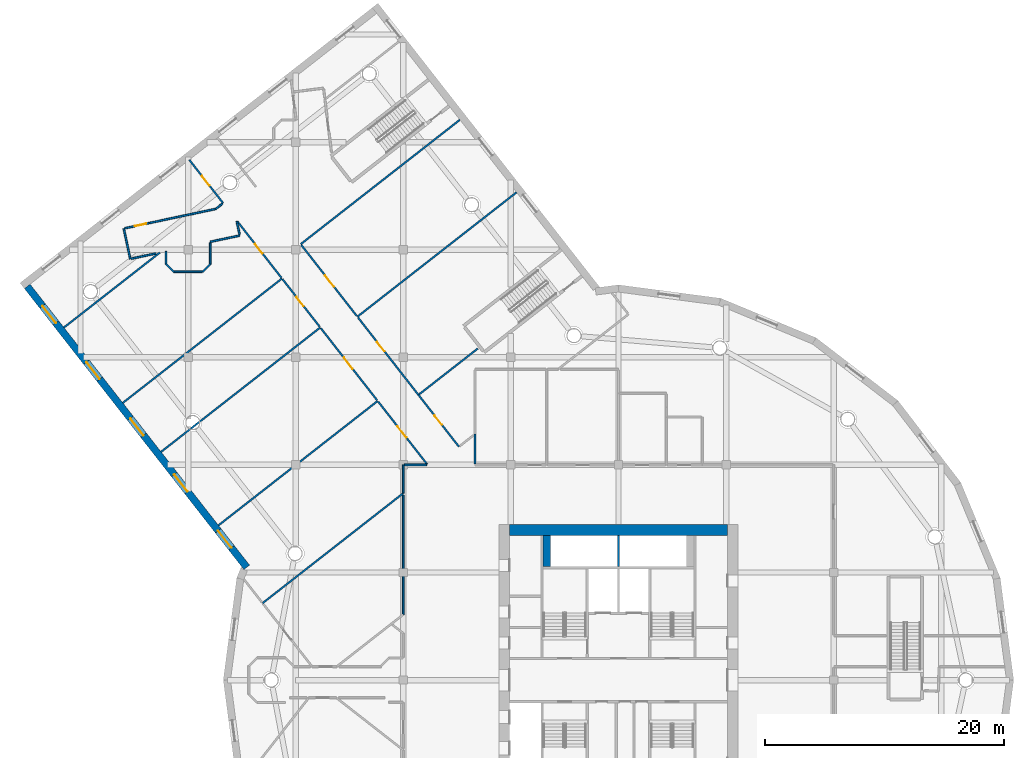
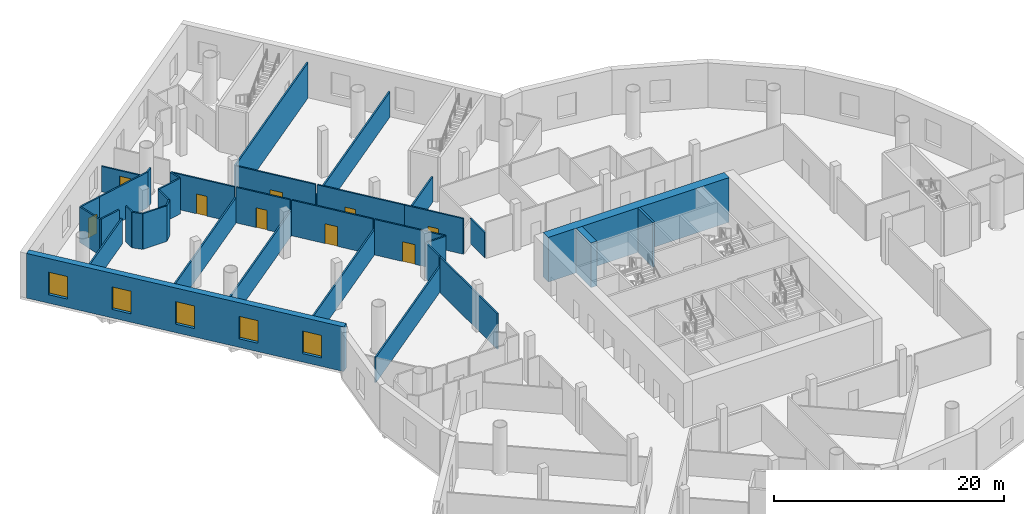
# One storey, part 9 of 22: 36 walls, 9 doors, 5 windows, 14 openings.
"""IFC4 building model written with IfcOpenShell, lengths in metres."""

from ifc_helpers import new_model, si_unit, direction, frame, frame_2d, origin, place, context, subcontext, project, spatial, rectangle, extrude, material, layer, layer_set, type_object, element, fill, save


model = new_model("IFC4")

# Units and contexts
model_context = context("Model", 3, precision=1e-05, world=origin(), true_north=direction((0.0, 1.0)))
body_context = subcontext(model_context, "Body", "Model", "MODEL_VIEW")
ifc_project = project(units=[si_unit("LENGTHUNIT", "METRE"), si_unit("AREAUNIT", "SQUARE_METRE"), si_unit("VOLUMEUNIT", "CUBIC_METRE"), si_unit("PLANEANGLEUNIT", "RADIAN"), si_unit("MASSUNIT", "GRAM", prefix="KILO")], contexts=[model_context])

# Site, building, storey
site_placement = place(None, origin())
site = spatial("IfcSite", under=ifc_project, at=site_placement, CompositionType="ELEMENT")
building_placement = place(site_placement, origin())
building = spatial("IfcBuilding", under=site, at=building_placement, Name="Tarsis Ring Headquarters", CompositionType="ELEMENT")
storey_placement = place(building_placement, frame((0.0, 0.0, 25.0)))
storey = spatial("IfcBuildingStorey", under=building, at=storey_placement, Name="L04", CompositionType="ELEMENT", Elevation=25.0)

# Walls
ifc_material_1 = material(Name="Concrete C60/75", Category="concrete")
ifc_layer_1 = layer(ifc_material_1, 0.89990234375)
ifc_layer_set_1 = layer_set([ifc_layer_1], Name="Core wall 900 C60/75")
wall_type_1 = type_object("IfcWallType", Name="Core wall 900 C60/75", PredefinedType="SHEAR", material=ifc_layer_set_1)
wall_1_placement = place(storey_placement, frame((-9.10009765625, 12.550048828125, 0.0), z_axis=(0.0, 0.0, 1.0), x_axis=(1.0, 0.0, 0.0)))
element("IfcWall", 1, at=wall_1_placement, inside=storey, type_object=wall_type_1, Name="Core wall ON", PredefinedType="SHEAR", context=body_context, shape_type="SweptSolid", body=[
    extrude(rectangle(XDim=18.2001953125, YDim=0.89990234375, at=frame_2d((9.10009765625, 0.0))), origin(), (0.0, 0.0, 1.0), 4.75),
])
ifc_material_2 = material(Name="Plasterboard partition")
ifc_layer_2 = layer(ifc_material_2, 0.14990234375)
ifc_layer_set_2 = layer_set([ifc_layer_2], Name="PO-PW150")
wall_type_2 = type_object("IfcWallType", Name="PO-PW150", PredefinedType="PARTITIONING", material=ifc_layer_set_2)
for number, where, z_axis, x_axis, name in (
    (2, (-20.144287109375, 23.34716796875, 0.0), (0.0, 0.0, 1.0), (-0.788014736946, -0.61565637685, 0.0), "L04 partition wall 4"),
    (3, (-28.14794921875, 33.59130859375, 0.0), (0.0, 0.0, 1.0), (-0.788014736946, -0.61565637685, 0.0), "L04 partition wall 5"),
    (4, (-24.946533203125, 29.49365234375, 0.0), (0.0, 0.0, 1.0), (-0.788014736946, -0.61565637685, 0.0), "L04 partition wall 9"),
):
    element("IfcWall", number, at=place(storey_placement, frame(where, z_axis=z_axis, x_axis=x_axis)), inside=storey, type_object=wall_type_2, Name=name, PredefinedType="PARTITIONING", context=body_context, shape_type="SweptSolid", body=[
        extrude(rectangle(XDim=16.89990234375, YDim=0.14990234375, at=frame_2d((8.449951171875, 0.0))), origin(), (0.0, 0.0, 1.0), 2.699951171875),
    ])
wall_2_placement = place(storey_placement, frame((-8.5263671875, 40.7998046875, 0.0), z_axis=(0.0, 0.0, 1.0), x_axis=(-0.788007728406, -0.615665347386, 0.0)))
element("IfcWall", 5, at=wall_2_placement, inside=storey, type_object=wall_type_2, Name="L04 partition wall 12", PredefinedType="PARTITIONING", context=body_context, shape_type="SweptSolid", body=[
    extrude(rectangle(XDim=16.900146484375, YDim=0.14990234375, at=frame_2d((8.4501953125, 0.0))), origin(), (0.0, 0.0, 1.0), 2.699951171875),
])
wall_3_placement = place(storey_placement, frame((-18.0, 15.6318359375, 0.0), z_axis=(0.0, 0.0, 1.0), x_axis=(-0.788013720277, -0.615657678142, 0.0)))
element("IfcWall", 6, at=wall_3_placement, inside=storey, type_object=wall_type_2, Name="L04 partition wall 13", PredefinedType="PARTITIONING", context=body_context, shape_type="SweptSolid", body=[
    extrude(rectangle(XDim=14.939697265625, YDim=0.14990234375, at=frame_2d((7.4697265625, 0.0))), origin(), (0.0, 0.0, 1.0), 2.699951171875),
])
wall_4_placement = place(storey_placement, frame((-38.368896484375, 35.758056640625, 0.0), z_axis=(0.0, 0.0, 1.0), x_axis=(-0.788007284307, -0.6156659158, 0.0)))
element("IfcWall", 7, at=wall_4_placement, inside=storey, type_object=wall_type_2, Name="L04 partition wall 27", PredefinedType="PARTITIONING", context=body_context, shape_type="SweptSolid", body=[
    extrude(rectangle(XDim=10.1796875, YDim=0.14990234375, at=frame_2d((5.08984375, 0.0))), origin(), (0.0, 0.0, 1.0), 2.699951171875),
])
wall_5_placement = place(storey_placement, frame((-11.76513671875, 27.736572265625, 0.0), z_axis=(0.0, 0.0, 1.0), x_axis=(-0.787998806704, -0.615676766358, 0.0)))
element("IfcWall", 8, at=wall_5_placement, inside=storey, type_object=wall_type_2, Name="L04 partition wall 54", PredefinedType="PARTITIONING", context=body_context, shape_type="SweptSolid", body=[
    extrude(rectangle(XDim=6.225341796875, YDim=0.14990234375, at=frame_2d((3.11279296875, 0.0))), origin(), (0.0, 0.0, 1.0), 2.699951171875),
])

# Wall, opening, door
wall_6_placement = place(storey_placement, frame((-35.904541015625, 43.52099609375, 0.0), z_axis=(0.0, 0.0, 1.0), x_axis=(0.615644041972, -0.788024373725, 0.0)))
wall_6 = element("IfcWall", 9, at=wall_6_placement, inside=storey, type_object=wall_type_2, Name="L04 partition wall 70", PredefinedType="PARTITIONING", context=body_context, shape_type="SweptSolid", body=[
    extrude(rectangle(XDim=4.60009765625, YDim=0.14990234375, at=frame_2d((2.300048828125, 0.0))), origin(), (0.0, 0.0, 1.0), 2.699951171875),
])
opening_1_placement = place(wall_6_placement, frame((1.720947265625, 0.0, 0.0)))
opening_1 = element("IfcOpeningElement", 10, at=opening_1_placement, cuts=wall_6, Name="Opening PO-D1A", PredefinedType="OPENING", context=body_context, shape_type="SweptSolid", body=[
    extrude(rectangle(XDim=1.0, YDim=2.10009765625, at=frame_2d((0.5, 1.050048828125))), frame((0.0, 0.0849609375, 0.0), z_axis=(0.0, -1.0, 0.0), x_axis=(1.0, 0.0, 0.0)), (0.0, 0.0, 1.0), 0.169921875),
])
ifc_material_3 = material(Name="Timber door", Category="wood")
door_type_1 = type_object("IfcDoorType", Name="PO-D1000-UNRATED", OperationType="NOTDEFINED", PredefinedType="DOOR", material=ifc_material_3)
door_1_placement = place(opening_1_placement, origin())
door_1 = element("IfcDoor", 11, at=door_1_placement, inside=storey, type_object=door_type_1, Name="Quiet room door", OperationType="SINGLE_SWING_LEFT", OverallHeight=2.10009765625, OverallWidth=1.0, PredefinedType="DOOR", context=body_context, shape_type="SweptSolid", body=[
    extrude(rectangle(XDim=1.0, YDim=2.10009765625, at=frame_2d((0.5, 1.050048828125))), frame((0.0, 0.02490234375, 0.0), z_axis=(0.0, -1.0, 0.0), x_axis=(1.0, 0.0, 0.0)), (0.0, 0.0, 1.0), 0.050048828125),
])
fill(opening_1, door_1)

# Walls
wall_7_placement = place(storey_placement, frame((-12.0, 20.573486328125, 0.0), z_axis=(0.0, 0.0, 1.0), x_axis=(0.0, -1.0, 0.0)))
element("IfcWall", 12, at=wall_7_placement, inside=storey, type_object=wall_type_2, Name="L04 partition wall 99", PredefinedType="PARTITIONING", context=body_context, shape_type="SweptSolid", body=[
    extrude(rectangle(XDim=2.493408203125, YDim=0.14990234375, at=frame_2d((1.24658203125, 0.0))), origin(), (0.0, 0.0, 1.0), 2.699951171875),
])
ifc_layer_3 = layer(ifc_material_2, 0.14990234375)
ifc_layer_set_3 = layer_set([ifc_layer_3], Name="PO-PW150R-3783")
wall_type_3 = type_object("IfcWallType", Name="PO-PW150R-3783", PredefinedType="PARTITIONING", material=ifc_layer_set_3)
wall_8_placement = place(storey_placement, frame((-13.266845703125, 46.867431640625, 0.0), z_axis=(0.0, 0.0, 1.0), x_axis=(-0.788014736946, -0.61565637685, 0.0)))
element("IfcWall", 13, at=wall_8_placement, inside=storey, type_object=wall_type_3, Name="L04 partition wall 10", PredefinedType="PARTITIONING", context=body_context, shape_type="SweptSolid", body=[
    extrude(rectangle(XDim=16.89990234375, YDim=0.14990234375, at=frame_2d((8.449951171875, 0.0))), origin(), (0.0, 0.0, 1.0), 3.782958984375),
])
wall_9_placement = place(storey_placement, frame((-18.0, 5.479736328125, 0.0), z_axis=(0.0, 0.0, 1.0), x_axis=(0.0, 1.0, 0.0)))
element("IfcWall", 14, at=wall_9_placement, inside=storey, type_object=wall_type_3, Name="L04 partition wall 28", PredefinedType="PARTITIONING", context=body_context, shape_type="SweptSolid", body=[
    extrude(rectangle(XDim=9.9921875, YDim=0.14990234375, at=frame_2d((4.99609375, 0.0))), origin(), (0.0, 0.0, 1.0), 3.782958984375),
])

# Wall, opening, door
wall_10_placement = place(storey_placement, frame((-21.79443359375, 30.33203125, 0.0), z_axis=(0.0, 0.0, 1.0), x_axis=(0.615660179856, -0.788011765736, 0.0)))
wall_10 = element("IfcWall", 15, at=wall_10_placement, inside=storey, type_object=wall_type_3, Name="L04 partition wall 33", PredefinedType="PARTITIONING", context=body_context, shape_type="SweptSolid", body=[
    extrude(rectangle(XDim=8.22021484375, YDim=0.14990234375, at=frame_2d((4.110107421875, 0.0))), origin(), (0.0, 0.0, 1.0), 3.782958984375),
])
opening_2_placement = place(wall_10_placement, frame((2.590087890625, 0.0, 0.0)))
opening_2 = element("IfcOpeningElement", 16, at=opening_2_placement, cuts=wall_10, Name="Opening PO-D1", PredefinedType="OPENING", context=body_context, shape_type="SweptSolid", body=[
    extrude(rectangle(XDim=1.0, YDim=2.10009765625, at=frame_2d((0.5, 1.050048828125))), frame((0.0, 0.0849609375, 0.0), z_axis=(0.0, -1.0, 0.0), x_axis=(1.0, 0.0, 0.0)), (0.0, 0.0, 1.0), 0.169921875),
])
door_type_2 = type_object("IfcDoorType", Name="PO-D1000", OperationType="NOTDEFINED", PredefinedType="DOOR", material=ifc_material_3)
door_2_placement = place(opening_2_placement, origin())
door_2 = element("IfcDoor", 17, at=door_2_placement, inside=storey, type_object=door_type_2, Name="Gymnasium door", OperationType="SINGLE_SWING_LEFT", OverallHeight=2.10009765625, OverallWidth=1.0, PredefinedType="DOOR", context=body_context, shape_type="SweptSolid", body=[
    extrude(rectangle(XDim=1.0, YDim=2.10009765625, at=frame_2d((0.5, 1.050048828125))), frame((0.0, 0.02490234375, 0.0), z_axis=(0.0, -1.0, 0.0), x_axis=(1.0, 0.0, 0.0)), (0.0, 0.0, 1.0), 0.050048828125),
])
fill(opening_2, door_2)

wall_11_placement = place(storey_placement, frame((-20.193603515625, 23.410400390625, 0.0), z_axis=(0.0, 0.0, 1.0), x_axis=(-0.615666986568, 0.788006447721, 0.0)))
wall_11 = element("IfcWall", 18, at=wall_11_placement, inside=storey, type_object=wall_type_3, Name="L04 partition wall 39", PredefinedType="PARTITIONING", context=body_context, shape_type="SweptSolid", body=[
    extrude(rectangle(XDim=7.639892578125, YDim=0.14990234375, at=frame_2d((3.81982421875, 0.0))), origin(), (0.0, 0.0, 1.0), 3.782958984375),
])
opening_3_placement = place(wall_11_placement, frame((3.320068359375, 0.0, 0.0)))
opening_3 = element("IfcOpeningElement", 19, at=opening_3_placement, cuts=wall_11, Name="Opening PO-D2", PredefinedType="OPENING", context=body_context, shape_type="SweptSolid", body=[
    extrude(rectangle(XDim=1.199951171875, YDim=2.10009765625, at=frame_2d((0.60009765625, 1.050048828125))), frame((0.0, 0.0849609375, 0.0), z_axis=(0.0, -1.0, 0.0), x_axis=(1.0, 0.0, 0.0)), (0.0, 0.0, 1.0), 0.169921875),
])
door_type_3 = type_object("IfcDoorType", Name="PO-D1200", OperationType="NOTDEFINED", PredefinedType="DOOR", material=ifc_material_3)
door_3_placement = place(opening_3_placement, origin())
door_3 = element("IfcDoor", 20, at=door_3_placement, inside=storey, type_object=door_type_3, Name="Fitness office door", OperationType="SINGLE_SWING_RIGHT", OverallHeight=2.10009765625, OverallWidth=1.199951171875, PredefinedType="DOOR", context=body_context, shape_type="SweptSolid", body=[
    extrude(rectangle(XDim=1.199951171875, YDim=2.10009765625, at=frame_2d((0.60009765625, 1.050048828125))), frame((0.0, 0.02490234375, 0.0), z_axis=(0.0, -1.0, 0.0), x_axis=(1.0, 0.0, 0.0)), (0.0, 0.0, 1.0), 0.050048828125),
])
fill(opening_3, door_3)

wall_12_placement = place(storey_placement, frame((-26.53515625, 36.399658203125, 0.0), z_axis=(0.0, 0.0, 1.0), x_axis=(0.61567420268, -0.788000809742, 0.0)))
wall_12 = element("IfcWall", 21, at=wall_12_placement, inside=storey, type_object=wall_type_3, Name="L04 partition wall 41", PredefinedType="PARTITIONING", context=body_context, shape_type="SweptSolid", body=[
    extrude(rectangle(XDim=7.539794921875, YDim=0.14990234375, at=frame_2d((3.77001953125, 0.0))), origin(), (0.0, 0.0, 1.0), 3.782958984375),
])
opening_4_placement = place(wall_12_placement, frame((3.239990234375, 0.0, 0.0)))
opening_4 = element("IfcOpeningElement", 22, at=opening_4_placement, cuts=wall_12, Name="Opening PO-D2", PredefinedType="OPENING", context=body_context, shape_type="SweptSolid", body=[
    extrude(rectangle(XDim=1.199951171875, YDim=2.10009765625, at=frame_2d((0.60009765625, 1.050048828125))), frame((0.0, 0.0849609375, 0.0), z_axis=(0.0, -1.0, 0.0), x_axis=(1.0, 0.0, 0.0)), (0.0, 0.0, 1.0), 0.169921875),
])
door_4_placement = place(opening_4_placement, origin())
door_4 = element("IfcDoor", 23, at=door_4_placement, inside=storey, type_object=door_type_3, Name="Studio room door", OperationType="SINGLE_SWING_RIGHT", OverallHeight=2.10009765625, OverallWidth=1.199951171875, PredefinedType="DOOR", context=body_context, shape_type="SweptSolid", body=[
    extrude(rectangle(XDim=1.199951171875, YDim=2.10009765625, at=frame_2d((0.60009765625, 1.050048828125))), frame((0.0, 0.02490234375, 0.0), z_axis=(0.0, -1.0, 0.0), x_axis=(1.0, 0.0, 0.0)), (0.0, 0.0, 1.0), 0.050048828125),
])
fill(opening_4, door_4)

wall_13_placement = place(storey_placement, frame((-15.997802734375, 18.0400390625, 0.0), z_axis=(0.0, 0.0, 1.0), x_axis=(-0.61568390745, 0.787993227196, 0.0)))
wall_13 = element("IfcWall", 24, at=wall_13_placement, inside=storey, type_object=wall_type_3, Name="L04 partition wall 51", PredefinedType="PARTITIONING", context=body_context, shape_type="SweptSolid", body=[
    extrude(rectangle(XDim=6.655029296875, YDim=0.14990234375, at=frame_2d((3.32763671875, 0.0))), origin(), (0.0, 0.0, 1.0), 3.782958984375),
])
opening_5_placement = place(wall_13_placement, frame((2.84912109375, 0.0, 0.0)))
opening_5 = element("IfcOpeningElement", 25, at=opening_5_placement, cuts=wall_13, Name="Opening PO-D2", PredefinedType="OPENING", context=body_context, shape_type="SweptSolid", body=[
    extrude(rectangle(XDim=1.199951171875, YDim=2.10009765625, at=frame_2d((0.60009765625, 1.050048828125))), frame((0.0, 0.0849609375, 0.0), z_axis=(0.0, -1.0, 0.0), x_axis=(1.0, 0.0, 0.0)), (0.0, 0.0, 1.0), 0.169921875),
])
door_5_placement = place(opening_5_placement, origin())
door_5 = element("IfcDoor", 26, at=door_5_placement, inside=storey, type_object=door_type_3, Name="Changing room door", OperationType="SINGLE_SWING_LEFT", OverallHeight=2.10009765625, OverallWidth=1.199951171875, PredefinedType="DOOR", context=body_context, shape_type="SweptSolid", body=[
    extrude(rectangle(XDim=1.199951171875, YDim=2.10009765625, at=frame_2d((0.60009765625, 1.050048828125))), frame((0.0, 0.02490234375, 0.0), z_axis=(0.0, -1.0, 0.0), x_axis=(1.0, 0.0, 0.0)), (0.0, 0.0, 1.0), 0.050048828125),
])
fill(opening_5, door_5)

wall_14_placement = place(storey_placement, frame((-28.197265625, 33.654541015625, 0.0), z_axis=(0.0, 0.0, 1.0), x_axis=(-0.615655172614, 0.788015677784, 0.0)))
wall_14 = element("IfcWall", 27, at=wall_14_placement, inside=storey, type_object=wall_type_3, Name="L04 partition wall 56", PredefinedType="PARTITIONING", context=body_context, shape_type="SweptSolid", body=[
    extrude(rectangle(XDim=5.958984375, YDim=0.14990234375, at=frame_2d((2.9794921875, 0.0))), origin(), (0.0, 0.0, 1.0), 3.782958984375),
])
opening_6_placement = place(wall_14_placement, frame((2.590087890625, 0.0, 0.0)))
opening_6 = element("IfcOpeningElement", 28, at=opening_6_placement, cuts=wall_14, Name="Opening PO-D1", PredefinedType="OPENING", context=body_context, shape_type="SweptSolid", body=[
    extrude(rectangle(XDim=1.0, YDim=2.10009765625, at=frame_2d((0.5, 1.050048828125))), frame((0.0, 0.0849609375, 0.0), z_axis=(0.0, -1.0, 0.0), x_axis=(1.0, 0.0, 0.0)), (0.0, 0.0, 1.0), 0.169921875),
])
door_6_placement = place(opening_6_placement, origin())
door_6 = element("IfcDoor", 29, at=door_6_placement, inside=storey, type_object=door_type_2, Name="Gymnasium door", OperationType="SINGLE_SWING_RIGHT", OverallHeight=2.10009765625, OverallWidth=1.0, PredefinedType="DOOR", context=body_context, shape_type="SweptSolid", body=[
    extrude(rectangle(XDim=1.0, YDim=2.10009765625, at=frame_2d((0.5, 1.050048828125))), frame((0.0, 0.02490234375, 0.0), z_axis=(0.0, -1.0, 0.0), x_axis=(1.0, 0.0, 0.0)), (0.0, 0.0, 1.0), 0.050048828125),
])
fill(opening_6, door_6)

# Wall
wall_15_placement = place(storey_placement, frame((-39.251953125, 38.22802734375, 0.0), z_axis=(0.0, 0.0, 1.0), x_axis=(0.977940293417, 0.208884615304, 0.0)))
element("IfcWall", 30, at=wall_15_placement, inside=storey, type_object=wall_type_3, Name="L04 partition wall 62", PredefinedType="PARTITIONING", context=body_context, shape_type="SweptSolid", body=[
    extrude(rectangle(XDim=5.69189453125, YDim=0.14990234375, at=frame_2d((2.845947265625, 0.0))), origin(), (0.0, 0.0, 1.0), 3.782958984375),
])

# Wall, opening, door
wall_16_placement = place(storey_placement, frame((-16.733642578125, 23.8544921875, 0.0), z_axis=(0.0, 0.0, 1.0), x_axis=(0.615650933369, -0.788018989773, 0.0)))
wall_16 = element("IfcWall", 31, at=wall_16_placement, inside=storey, type_object=wall_type_3, Name="L04 partition wall 63", PredefinedType="PARTITIONING", context=body_context, shape_type="SweptSolid", body=[
    extrude(rectangle(XDim=5.499755859375, YDim=0.14990234375, at=frame_2d((2.75, 0.0))), origin(), (0.0, 0.0, 1.0), 3.782958984375),
])
opening_7_placement = place(wall_16_placement, frame((2.169921875, 0.0, 0.0)))
opening_7 = element("IfcOpeningElement", 32, at=opening_7_placement, cuts=wall_16, Name="Opening PO-D1", PredefinedType="OPENING", context=body_context, shape_type="SweptSolid", body=[
    extrude(rectangle(XDim=1.0, YDim=2.10009765625, at=frame_2d((0.5, 1.050048828125))), frame((0.0, 0.0849609375, 0.0), z_axis=(0.0, -1.0, 0.0), x_axis=(1.0, 0.0, 0.0)), (0.0, 0.0, 1.0), 0.169921875),
])
door_7_placement = place(opening_7_placement, origin())
door_7 = element("IfcDoor", 33, at=door_7_placement, inside=storey, type_object=door_type_2, Name="Equipment store door", OperationType="SINGLE_SWING_RIGHT", OverallHeight=2.10009765625, OverallWidth=1.0, PredefinedType="DOOR", context=body_context, shape_type="SweptSolid", body=[
    extrude(rectangle(XDim=1.0, YDim=2.10009765625, at=frame_2d((0.5, 1.050048828125))), frame((0.0, 0.02490234375, 0.0), z_axis=(0.0, -1.0, 0.0), x_axis=(1.0, 0.0, 0.0)), (0.0, 0.0, 1.0), 0.050048828125),
])
fill(opening_7, door_7)

wall_17_placement = place(storey_placement, frame((-24.995849609375, 29.556884765625, 0.0), z_axis=(0.0, 0.0, 1.0), x_axis=(-0.615656262697, 0.788014826131, 0.0)))
wall_17 = element("IfcWall", 34, at=wall_17_placement, inside=storey, type_object=wall_type_3, Name="L04 partition wall 67", PredefinedType="PARTITIONING", context=body_context, shape_type="SweptSolid", body=[
    extrude(rectangle(XDim=5.039794921875, YDim=0.14990234375, at=frame_2d((2.52001953125, 0.0))), origin(), (0.0, 0.0, 1.0), 3.782958984375),
])
opening_8_placement = place(wall_17_placement, frame((2.169921875, 0.0, 0.0)))
opening_8 = element("IfcOpeningElement", 35, at=opening_8_placement, cuts=wall_17, Name="Opening PO-D1", PredefinedType="OPENING", context=body_context, shape_type="SweptSolid", body=[
    extrude(rectangle(XDim=1.0, YDim=2.10009765625, at=frame_2d((0.5, 1.050048828125))), frame((0.0, 0.0849609375, 0.0), z_axis=(0.0, -1.0, 0.0), x_axis=(1.0, 0.0, 0.0)), (0.0, 0.0, 1.0), 0.169921875),
])
door_8_placement = place(opening_8_placement, origin())
door_8 = element("IfcDoor", 36, at=door_8_placement, inside=storey, type_object=door_type_2, Name="Equipment store door", OperationType="SINGLE_SWING_LEFT", OverallHeight=2.10009765625, OverallWidth=1.0, PredefinedType="DOOR", context=body_context, shape_type="SweptSolid", body=[
    extrude(rectangle(XDim=1.0, YDim=2.10009765625, at=frame_2d((0.5, 1.050048828125))), frame((0.0, 0.02490234375, 0.0), z_axis=(0.0, -1.0, 0.0), x_axis=(1.0, 0.0, 0.0)), (0.0, 0.0, 1.0), 0.050048828125),
])
fill(opening_8, door_8)

# Walls
wall_18_placement = place(storey_placement, frame((-40.84130859375, 35.22998046875, 0.0), z_axis=(0.0, 0.0, 1.0), x_axis=(-0.208939051141, 0.97792866453, 0.0)))
element("IfcWall", 37, at=wall_18_placement, inside=storey, type_object=wall_type_3, Name="L04 partition wall 97", PredefinedType="PARTITIONING", context=body_context, shape_type="SweptSolid", body=[
    extrude(rectangle(XDim=2.599853515625, YDim=0.14990234375, at=frame_2d((1.2998046875, 0.0))), origin(), (0.0, 0.0, 1.0), 3.782958984375),
])
wall_19_placement = place(storey_placement, frame((-38.691650390625, 35.689208984375, 0.0), z_axis=(0.0, 0.0, 1.0), x_axis=(-0.977925369657, -0.208954472032, 0.0)))
element("IfcWall", 38, at=wall_19_placement, inside=storey, type_object=wall_type_3, Name="L04 partition wall 101", PredefinedType="PARTITIONING", context=body_context, shape_type="SweptSolid", body=[
    extrude(rectangle(XDim=2.118408203125, YDim=0.14990234375, at=frame_2d((1.05908203125, 0.0))), origin(), (0.0, 0.0, 1.0), 3.782958984375),
])
wall_20_placement = place(storey_placement, frame((-31.678955078125, 37.18701171875, 0.0), z_axis=(0.0, 0.0, 1.0), x_axis=(-0.977936544746, -0.20890216478, 0.0)))
element("IfcWall", 39, at=wall_20_placement, inside=storey, type_object=wall_type_3, Name="L04 partition wall 102", PredefinedType="PARTITIONING", context=body_context, shape_type="SweptSolid", body=[
    extrude(rectangle(XDim=2.526611328125, YDim=0.14990234375, at=frame_2d((1.26318359375, 0.0))), origin(), (0.0, 0.0, 1.0), 3.782958984375),
])
wall_21_placement = place(storey_placement, frame((-34.800048828125, 34.14990234375, 0.0), z_axis=(0.0, 0.0, 1.0), x_axis=(-1.0, 0.0, 0.0)))
element("IfcWall", 40, at=wall_21_placement, inside=storey, type_object=wall_type_3, Name="L04 partition wall 105", PredefinedType="PARTITIONING", context=body_context, shape_type="SweptSolid", body=[
    extrude(rectangle(XDim=2.39990234375, YDim=0.14990234375, at=frame_2d((1.199951171875, 0.0))), origin(), (0.0, 0.0, 1.0), 3.782958984375),
])
wall_22_placement = place(storey_placement, frame((-18.0, 15.6318359375, 0.0), z_axis=(0.0, 0.0, 1.0), x_axis=(0.0, 1.0, 0.0)))
element("IfcWall", 41, at=wall_22_placement, inside=storey, type_object=wall_type_3, Name="L04 partition wall 106", PredefinedType="PARTITIONING", context=body_context, shape_type="SweptSolid", body=[
    extrude(rectangle(XDim=2.3681640625, YDim=0.14990234375, at=frame_2d((1.18408203125, 0.0))), origin(), (0.0, 0.0, 1.0), 3.782958984375),
])

# Wall, opening, door
wall_23_placement = place(storey_placement, frame((-41.30615234375, 37.789306640625, 0.0), z_axis=(0.0, 0.0, 1.0), x_axis=(0.977945062536, 0.208862286353, 0.0)))
wall_23 = element("IfcWall", 42, at=wall_23_placement, inside=storey, type_object=wall_type_3, Name="L04 partition wall 113", PredefinedType="PARTITIONING", context=body_context, shape_type="SweptSolid", body=[
    extrude(rectangle(XDim=2.1005859375, YDim=0.14990234375, at=frame_2d((1.05029296875, 0.0))), origin(), (0.0, 0.0, 1.0), 3.782958984375),
])
opening_9_placement = place(wall_23_placement, frame((0.85888671875, 0.0, 0.0)))
opening_9 = element("IfcOpeningElement", 43, at=opening_9_placement, cuts=wall_23, Name="Opening PO-D1", PredefinedType="OPENING", context=body_context, shape_type="SweptSolid", body=[
    extrude(rectangle(XDim=1.0, YDim=2.10009765625, at=frame_2d((0.5, 1.050048828125))), frame((0.0, 0.0849609375, 0.0), z_axis=(0.0, -1.0, 0.0), x_axis=(1.0, 0.0, 0.0)), (0.0, 0.0, 1.0), 0.169921875),
])
door_9_placement = place(opening_9_placement, origin())
door_9 = element("IfcDoor", 44, at=door_9_placement, inside=storey, type_object=door_type_2, Name="Studio room door", OperationType="SINGLE_SWING_LEFT", OverallHeight=2.10009765625, OverallWidth=1.0, PredefinedType="DOOR", context=body_context, shape_type="SweptSolid", body=[
    extrude(rectangle(XDim=1.0, YDim=2.10009765625, at=frame_2d((0.5, 1.050048828125))), frame((0.0, 0.02490234375, 0.0), z_axis=(0.0, -1.0, 0.0), x_axis=(1.0, 0.0, 0.0)), (0.0, 0.0, 1.0), 0.050048828125),
])
fill(opening_9, door_9)

# Walls
wall_24_placement = place(storey_placement, frame((-17.919921875, 18.0, 0.0), z_axis=(0.0, 0.0, 1.0), x_axis=(1.0, 0.0, 0.0)))
element("IfcWall", 45, at=wall_24_placement, inside=storey, type_object=wall_type_3, Name="L04 partition wall 118", PredefinedType="PARTITIONING", context=body_context, shape_type="SweptSolid", body=[
    extrude(rectangle(XDim=1.877197265625, YDim=0.14990234375, at=frame_2d((0.9384765625, 0.0))), origin(), (0.0, 0.0, 1.0), 3.782958984375),
])
wall_25_placement = place(storey_placement, frame((-34.14990234375, 36.579345703125, 0.0), z_axis=(0.0, 0.0, 1.0), x_axis=(0.0, -1.0, 0.0)))
element("IfcWall", 46, at=wall_25_placement, inside=storey, type_object=wall_type_3, Name="L04 partition wall 119", PredefinedType="PARTITIONING", context=body_context, shape_type="SweptSolid", body=[
    extrude(rectangle(XDim=1.779296875, YDim=0.14990234375, at=frame_2d((0.8896484375, 0.0))), origin(), (0.0, 0.0, 1.0), 3.782958984375),
])
wall_26_placement = place(storey_placement, frame((-31.931396484375, 38.368896484375, 0.0), z_axis=(0.0, 0.0, 1.0), x_axis=(0.208997145587, -0.977916250574, 0.0)))
element("IfcWall", 47, at=wall_26_placement, inside=storey, type_object=wall_type_3, Name="L04 partition wall 132", PredefinedType="PARTITIONING", context=body_context, shape_type="SweptSolid", body=[
    extrude(rectangle(XDim=1.12841796875, YDim=0.14990234375, at=frame_2d((0.564208984375, 0.0))), origin(), (0.0, 0.0, 1.0), 3.782958984375),
])
wall_27_placement = place(storey_placement, frame((-37.85009765625, 34.800048828125, 0.0), z_axis=(0.0, 0.0, 1.0), x_axis=(0.0, 1.0, 0.0)))
element("IfcWall", 48, at=wall_27_placement, inside=storey, type_object=wall_type_3, Name="L04 partition wall 138", PredefinedType="PARTITIONING", context=body_context, shape_type="SweptSolid", body=[
    extrude(rectangle(XDim=1.06884765625, YDim=0.14990234375, at=frame_2d((0.534423828125, 0.0))), origin(), (0.0, 0.0, 1.0), 3.782958984375),
])
for number, where, z_axis, x_axis, name in (
    (49, (-37.199951171875, 34.14990234375, 0.0), (0.0, 0.0, 1.0), (-0.707106781187, 0.707106781187, 0.0), "L04 partition wall 145"),
    (50, (-34.14990234375, 34.800048828125, 0.0), (0.0, 0.0, 1.0), (-0.707106781187, -0.707106781187, 0.0), "L04 partition wall 148"),
):
    element("IfcWall", number, at=place(storey_placement, frame(where, z_axis=z_axis, x_axis=x_axis)), inside=storey, type_object=wall_type_3, Name=name, PredefinedType="PARTITIONING", context=body_context, shape_type="SweptSolid", body=[
        extrude(rectangle(XDim=0.91943359375, YDim=0.14990234375, at=frame_2d((0.459716796875, 0.0))), origin(), (0.0, 0.0, 1.0), 3.782958984375),
    ])
wall_28_placement = place(storey_placement, frame((-33.685546875, 39.4169921875, 0.0), z_axis=(0.0, 0.0, 1.0), x_axis=(0.787992515281, 0.615684818606, 0.0)))
element("IfcWall", 51, at=wall_28_placement, inside=storey, type_object=wall_type_3, Name="L04 partition wall 151", PredefinedType="PARTITIONING", context=body_context, shape_type="SweptSolid", body=[
    extrude(rectangle(XDim=0.697021484375, YDim=0.14990234375, at=frame_2d((0.3486328125, 0.0))), origin(), (0.0, 0.0, 1.0), 3.782958984375),
])

# Wall, openings, windows
ifc_layer_4 = layer(ifc_material_1, 0.60009765625)
ifc_layer_set_4 = layer_set([ifc_layer_4], Name="PO-W600")
wall_type_4 = type_object("IfcWallType", Name="PO-W600", PredefinedType="SOLIDWALL", material=ifc_layer_set_4)
wall_29_placement = place(storey_placement, frame((-49.459228515625, 32.930908203125, 0.0), z_axis=(0.0, 0.0, 1.0), x_axis=(0.615664215937, -0.788008612399, 0.0)))
wall_29 = element("IfcWall", 52, at=wall_29_placement, inside=storey, type_object=wall_type_4, Name="L04 external wall 1", PredefinedType="SOLIDWALL", context=body_context, shape_type="SweptSolid", body=[
    extrude(rectangle(XDim=29.82470703125, YDim=0.60009765625, at=frame_2d((14.912353515625, 0.0))), origin(), (0.0, 0.0, 1.0), 4.75),
])
opening_10_placement = place(wall_29_placement, frame((2.08251953125, 0.0, 0.89990234375)))
opening_10 = element("IfcOpeningElement", 53, at=opening_10_placement, cuts=wall_29, Name="Opening PO-WN1", PredefinedType="OPENING", context=body_context, shape_type="SweptSolid", body=[
    extrude(rectangle(XDim=1.800048828125, YDim=2.39990234375, at=frame_2d((0.89990234375, 1.199951171875))), frame((0.0, 0.31005859375, 0.0), z_axis=(0.0, -1.0, 0.0), x_axis=(1.0, 0.0, 0.0)), (0.0, 0.0, 1.0), 0.6201171875),
])
opening_11_placement = place(wall_29_placement, frame((8.04736328125, 0.0, 0.89990234375)))
opening_11 = element("IfcOpeningElement", 54, at=opening_11_placement, cuts=wall_29, Name="Opening PO-WN1", PredefinedType="OPENING", context=body_context, shape_type="SweptSolid", body=[
    extrude(rectangle(XDim=1.800048828125, YDim=2.39990234375, at=frame_2d((0.89990234375, 1.199951171875))), frame((0.0, 0.31005859375, 0.0), z_axis=(0.0, -1.0, 0.0), x_axis=(1.0, 0.0, 0.0)), (0.0, 0.0, 1.0), 0.6201171875),
])
opening_12_placement = place(wall_29_placement, frame((14.012451171875, 0.0, 0.89990234375)))
opening_12 = element("IfcOpeningElement", 55, at=opening_12_placement, cuts=wall_29, Name="Opening PO-WN1", PredefinedType="OPENING", context=body_context, shape_type="SweptSolid", body=[
    extrude(rectangle(XDim=1.800048828125, YDim=2.39990234375, at=frame_2d((0.89990234375, 1.199951171875))), frame((0.0, 0.31005859375, 0.0), z_axis=(0.0, -1.0, 0.0), x_axis=(1.0, 0.0, 0.0)), (0.0, 0.0, 1.0), 0.6201171875),
])
opening_13_placement = place(wall_29_placement, frame((19.977294921875, 0.0, 0.89990234375)))
opening_13 = element("IfcOpeningElement", 56, at=opening_13_placement, cuts=wall_29, Name="Opening PO-WN1", PredefinedType="OPENING", context=body_context, shape_type="SweptSolid", body=[
    extrude(rectangle(XDim=1.800048828125, YDim=2.39990234375, at=frame_2d((0.89990234375, 1.199951171875))), frame((0.0, 0.31005859375, 0.0), z_axis=(0.0, -1.0, 0.0), x_axis=(1.0, 0.0, 0.0)), (0.0, 0.0, 1.0), 0.6201171875),
])
opening_14_placement = place(wall_29_placement, frame((25.942138671875, 0.0, 0.89990234375)))
opening_14 = element("IfcOpeningElement", 57, at=opening_14_placement, cuts=wall_29, Name="Opening PO-WN1", PredefinedType="OPENING", context=body_context, shape_type="SweptSolid", body=[
    extrude(rectangle(XDim=1.800048828125, YDim=2.39990234375, at=frame_2d((0.89990234375, 1.199951171875))), frame((0.0, 0.31005859375, 0.0), z_axis=(0.0, -1.0, 0.0), x_axis=(1.0, 0.0, 0.0)), (0.0, 0.0, 1.0), 0.6201171875),
])
ifc_material_4 = material(Name="Double glazing", Category="glass")
window_type = type_object("IfcWindowType", Name="PO-WN1800", PartitioningType="SINGLE_PANEL", PredefinedType="WINDOW", material=ifc_material_4)
window_1_placement = place(opening_10_placement, origin())
window_1 = element("IfcWindow", 58, at=window_1_placement, inside=storey, type_object=window_type, Name="L04 window 1.1", OverallHeight=2.39990234375, OverallWidth=1.800048828125, PartitioningType="SINGLE_PANEL", PredefinedType="WINDOW", context=body_context, shape_type="SweptSolid", body=[
    extrude(rectangle(XDim=1.800048828125, YDim=2.39990234375, at=frame_2d((0.89990234375, 1.199951171875))), frame((0.0, 0.030029296875, 0.0), z_axis=(0.0, -1.0, 0.0), x_axis=(1.0, 0.0, 0.0)), (0.0, 0.0, 1.0), 0.06005859375),
])
fill(opening_10, window_1)
window_2_placement = place(opening_11_placement, origin())
window_2 = element("IfcWindow", 59, at=window_2_placement, inside=storey, type_object=window_type, Name="L04 window 1.2", OverallHeight=2.39990234375, OverallWidth=1.800048828125, PartitioningType="SINGLE_PANEL", PredefinedType="WINDOW", context=body_context, shape_type="SweptSolid", body=[
    extrude(rectangle(XDim=1.800048828125, YDim=2.39990234375, at=frame_2d((0.89990234375, 1.199951171875))), frame((0.0, 0.030029296875, 0.0), z_axis=(0.0, -1.0, 0.0), x_axis=(1.0, 0.0, 0.0)), (0.0, 0.0, 1.0), 0.06005859375),
])
fill(opening_11, window_2)
window_3_placement = place(opening_12_placement, origin())
window_3 = element("IfcWindow", 60, at=window_3_placement, inside=storey, type_object=window_type, Name="L04 window 1.3", OverallHeight=2.39990234375, OverallWidth=1.800048828125, PartitioningType="SINGLE_PANEL", PredefinedType="WINDOW", context=body_context, shape_type="SweptSolid", body=[
    extrude(rectangle(XDim=1.800048828125, YDim=2.39990234375, at=frame_2d((0.89990234375, 1.199951171875))), frame((0.0, 0.030029296875, 0.0), z_axis=(0.0, -1.0, 0.0), x_axis=(1.0, 0.0, 0.0)), (0.0, 0.0, 1.0), 0.06005859375),
])
fill(opening_12, window_3)
window_4_placement = place(opening_13_placement, origin())
window_4 = element("IfcWindow", 61, at=window_4_placement, inside=storey, type_object=window_type, Name="L04 window 1.4", OverallHeight=2.39990234375, OverallWidth=1.800048828125, PartitioningType="SINGLE_PANEL", PredefinedType="WINDOW", context=body_context, shape_type="SweptSolid", body=[
    extrude(rectangle(XDim=1.800048828125, YDim=2.39990234375, at=frame_2d((0.89990234375, 1.199951171875))), frame((0.0, 0.030029296875, 0.0), z_axis=(0.0, -1.0, 0.0), x_axis=(1.0, 0.0, 0.0)), (0.0, 0.0, 1.0), 0.06005859375),
])
fill(opening_13, window_4)
window_5_placement = place(opening_14_placement, origin())
window_5 = element("IfcWindow", 62, at=window_5_placement, inside=storey, type_object=window_type, Name="L04 window 1.5", OverallHeight=2.39990234375, OverallWidth=1.800048828125, PartitioningType="SINGLE_PANEL", PredefinedType="WINDOW", context=body_context, shape_type="SweptSolid", body=[
    extrude(rectangle(XDim=1.800048828125, YDim=2.39990234375, at=frame_2d((0.89990234375, 1.199951171875))), frame((0.0, 0.030029296875, 0.0), z_axis=(0.0, -1.0, 0.0), x_axis=(1.0, 0.0, 0.0)), (0.0, 0.0, 1.0), 0.06005859375),
])
fill(opening_14, window_5)

# Walls
ifc_material_5 = material(Name="Concrete C32/40", Category="concrete")
ifc_layer_5 = layer(ifc_material_5, 0.60009765625)
ifc_layer_set_5 = layer_set([ifc_layer_5], Name="Shaft end wall 600 C32/40")
wall_type_5 = type_object("IfcWallType", Name="Shaft end wall 600 C32/40", PredefinedType="SOLIDWALL", material=ifc_layer_set_5)
wall_30_placement = place(storey_placement, frame((-6.0, 9.5, 0.0), z_axis=(0.0, 0.0, 1.0), x_axis=(0.0, 1.0, 0.0)))
element("IfcWall", 63, at=wall_30_placement, inside=storey, type_object=wall_type_5, Name="Core shaft wall NNE1", PredefinedType="SOLIDWALL", context=body_context, shape_type="SweptSolid", body=[
    extrude(rectangle(XDim=2.60009765625, YDim=0.60009765625, at=frame_2d((1.300048828125, 0.0))), origin(), (0.0, 0.0, 1.0), 4.75),
])
ifc_layer_6 = layer(ifc_material_5, 0.199951171875)
ifc_layer_set_6 = layer_set([ifc_layer_6], Name="Shaft wall 200 C32/40")
wall_type_6 = type_object("IfcWallType", Name="Shaft wall 200 C32/40", PredefinedType="SOLIDWALL", material=ifc_layer_set_6)
wall_31_placement = place(storey_placement, frame((0.0, 9.5, 0.0), z_axis=(0.0, 0.0, 1.0), x_axis=(0.0, 1.0, 0.0)))
element("IfcWall", 64, at=wall_31_placement, inside=storey, type_object=wall_type_6, Name="Core shaft wall ND2", PredefinedType="SOLIDWALL", context=body_context, shape_type="SweptSolid", body=[
    extrude(rectangle(XDim=2.60009765625, YDim=0.199951171875, at=frame_2d((1.300048828125, 0.0))), origin(), (0.0, 0.0, 1.0), 4.75),
])

save(model, "model.ifc")
